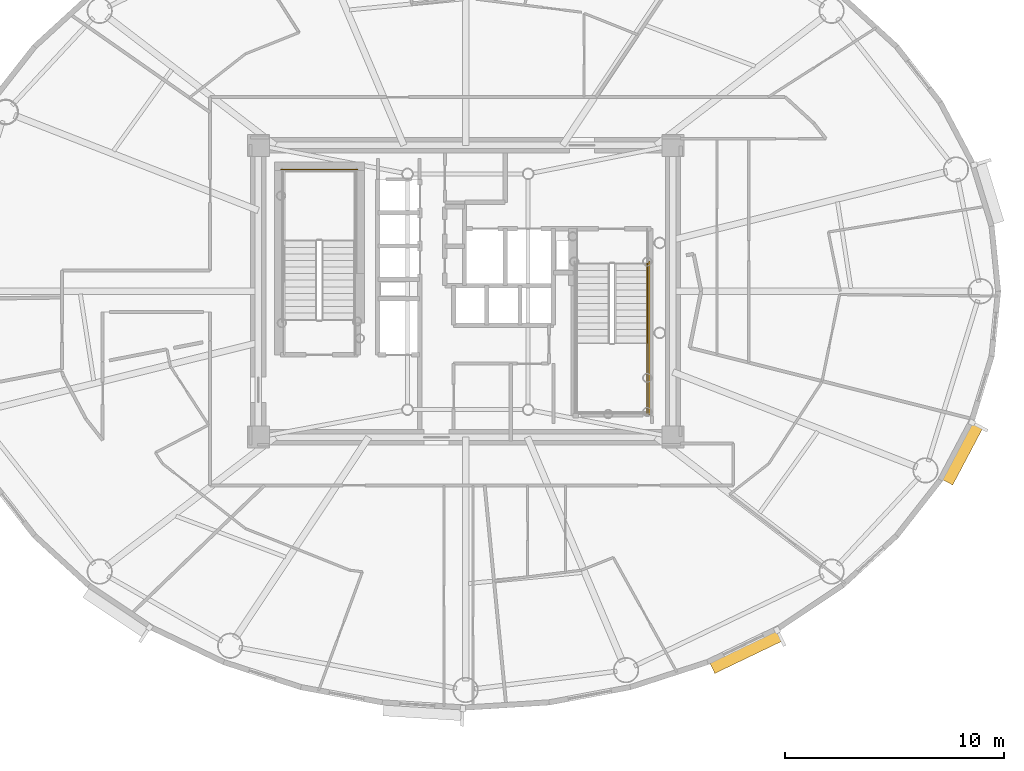
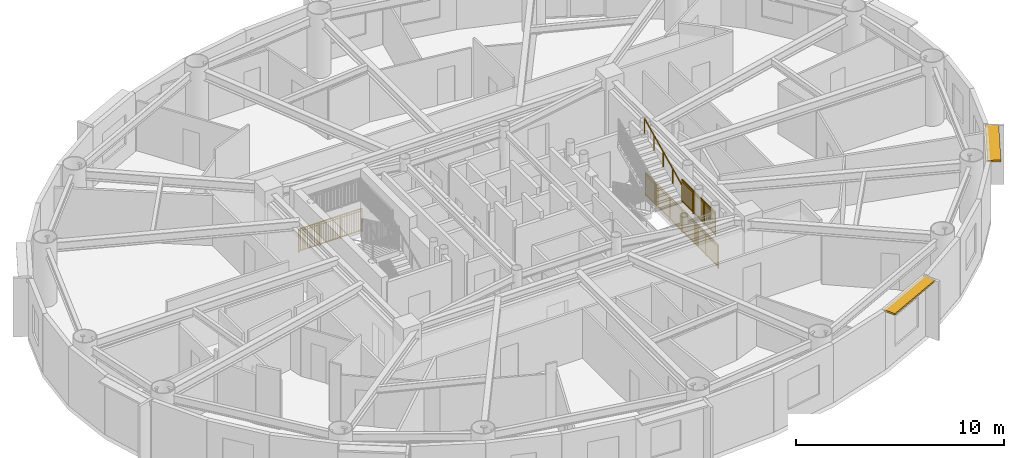
# One storey, part 17 of 18: 4 railings, 2 shading devices.
"""IFC4 building model written with IfcOpenShell, lengths in metres."""

from ifc_helpers import new_model, si_unit, direction, frame, origin, origin_2d, place, context, subcontext, project, spatial, rectangle, extrude, source, transform, mapped, material, layer, layer_set, type_object, element, save


model = new_model("IFC4")

# Units and contexts
model_context = context("Model", 3, precision=1e-05, world=origin(), true_north=direction((0.0, 1.0)))
body_context = subcontext(model_context, "Body", "Model", "MODEL_VIEW")
ifc_project = project(units=[si_unit("LENGTHUNIT", "METRE"), si_unit("AREAUNIT", "SQUARE_METRE"), si_unit("VOLUMEUNIT", "CUBIC_METRE"), si_unit("PLANEANGLEUNIT", "RADIAN"), si_unit("MASSUNIT", "GRAM", prefix="KILO")], contexts=[model_context])

# Site, building, storey
site_placement = place(None, origin())
site = spatial("IfcSite", under=ifc_project, at=site_placement, CompositionType="ELEMENT")
building_placement = place(site_placement, origin())
building = spatial("IfcBuilding", under=site, at=building_placement, Name="Linh Dai School and Residence Tower", CompositionType="ELEMENT")
storey_placement = place(building_placement, frame((0.0, 0.0, 259.050048828125)))
storey = spatial("IfcBuildingStorey", under=building, at=storey_placement, Name="L64", CompositionType="ELEMENT", Elevation=259.050048828125)

# Shading devices
ifc_material_1 = material(Name="Terracotta Ceramic Sunshade", Category="masonry")
ifc_layer = layer(ifc_material_1, 0.10009765625)
ifc_layer_set = layer_set([ifc_layer], Name="Terracotta Ceramic Sunshade")
shading_device_type = type_object("IfcShadingDeviceType", Name="SHD-TC-650", PredefinedType="USERDEFINED", material=ifc_layer_set)
shared_shape_1 = source(origin(), body_context, "Body", "SweptSolid", [
    extrude(rectangle(XDim=3.459716796875, YDim=0.64990234375, at=origin_2d()), origin(), (0.0, 0.0, 1.0), 0.10009765625),
])
shading_device_1_placement = place(storey_placement, frame((48.77880859375, 10.615966796875, 3.329833984375), z_axis=(0.0, 0.0, 1.0), x_axis=(-0.901588864931, -0.432593941973, 0.0)))
element("IfcShadingDevice", 1, at=shading_device_1_placement, inside=storey, type_object=shading_device_type, Name="L64 Terracotta Horizontal Sunshade Band 34", ObjectType="SUNSHADE", PredefinedType="USERDEFINED", context=body_context, shape_type="MappedRepresentation", body=[
    mapped(shared_shape_1, transform((0.0, 0.0, 0.0), x_axis=(1.0, 0.0, 0.0), y_axis=(0.0, 1.0, 0.0), z_axis=(0.0, 0.0, 1.0), scale=1.0)),
])
shared_shape_2 = source(origin(), body_context, "Body", "SweptSolid", [
    extrude(rectangle(XDim=2.986083984375, YDim=0.64990234375, at=origin_2d()), origin(), (0.0, 0.0, 1.0), 0.10009765625),
])
shading_device_2_placement = place(storey_placement, frame((58.614990234375, 19.63623046875, 3.329833984375), z_axis=(0.0, 0.0, 1.0), x_axis=(-0.467621224891, -0.883928950783, 0.0)))
element("IfcShadingDevice", 2, at=shading_device_2_placement, inside=storey, type_object=shading_device_type, Name="L64 Terracotta Horizontal Sunshade Band 38", ObjectType="SUNSHADE", PredefinedType="USERDEFINED", context=body_context, shape_type="MappedRepresentation", body=[
    mapped(shared_shape_2, transform((0.0, 0.0, 0.0), x_axis=(1.0, 0.0, 0.0), y_axis=(0.0, 1.0, 0.0), z_axis=(0.0, 0.0, 1.0), scale=1.0)),
])

# Railings
ifc_material_2 = material(Name="Structural Steel S355JR", Category="steel")
railing_type_1 = type_object("IfcRailingType", Name="RL-ST-GUARD-1400", PredefinedType="GUARDRAIL", material=ifc_material_2)
shared_shape_3 = source(origin(), body_context, "Body", "SweptSolid", [
    extrude(rectangle(XDim=0.048095703125, YDim=0.048095703125, at=origin_2d()), frame((0.0, 0.0, 1.3759765625), z_axis=(-1.0, 0.0, 0.0), x_axis=(0.0, -1.0, 0.0)), (0.0, 0.0, 1.0), 3.5),
    extrude(rectangle(XDim=0.048095703125, YDim=0.048095703125, at=origin_2d()), frame((0.0, 0.0, 0.10009765625), z_axis=(-1.0, 0.0, 0.0), x_axis=(0.0, -1.0, 0.0)), (0.0, 0.0, 1.0), 3.5),
    extrude(rectangle(XDim=0.030029296875, YDim=0.030029296875, at=origin_2d()), frame((0.0, 0.0, 1.239990234375), z_axis=(-1.0, 0.0, 0.0), x_axis=(0.0, -1.0, 0.0)), (0.0, 0.0, 1.0), 3.5),
    extrude(rectangle(XDim=0.02001953125, YDim=0.02001953125, at=origin_2d()), frame((-0.09716796875, 0.0, 0.10009765625)), (0.0, 0.0, 1.0), 1.251708984375),
    extrude(rectangle(XDim=0.02001953125, YDim=0.02001953125, at=origin_2d()), frame((-0.1943359375, 0.0, 0.10009765625)), (0.0, 0.0, 1.0), 1.251708984375),
    extrude(rectangle(XDim=0.02001953125, YDim=0.02001953125, at=origin_2d()), frame((-0.291748046875, 0.0, 0.10009765625)), (0.0, 0.0, 1.0), 1.251708984375),
    extrude(rectangle(XDim=0.02001953125, YDim=0.02001953125, at=origin_2d()), frame((-0.388916015625, 0.0, 0.10009765625)), (0.0, 0.0, 1.0), 1.251708984375),
    extrude(rectangle(XDim=0.02001953125, YDim=0.02001953125, at=origin_2d()), frame((-0.486083984375, 0.0, 0.10009765625)), (0.0, 0.0, 1.0), 1.251708984375),
    extrude(rectangle(XDim=0.02001953125, YDim=0.02001953125, at=origin_2d()), frame((-0.583251953125, 0.0, 0.10009765625)), (0.0, 0.0, 1.0), 1.251708984375),
    extrude(rectangle(XDim=0.02001953125, YDim=0.02001953125, at=origin_2d()), frame((-0.6806640625, 0.0, 0.10009765625)), (0.0, 0.0, 1.0), 1.251708984375),
    extrude(rectangle(XDim=0.02001953125, YDim=0.02001953125, at=origin_2d()), frame((-0.77783203125, 0.0, 0.10009765625)), (0.0, 0.0, 1.0), 1.251708984375),
    extrude(rectangle(XDim=0.02001953125, YDim=0.02001953125, at=origin_2d()), frame((-0.875, 0.0, 0.10009765625)), (0.0, 0.0, 1.0), 1.251708984375),
    extrude(rectangle(XDim=0.02001953125, YDim=0.02001953125, at=origin_2d()), frame((-0.97216796875, 0.0, 0.10009765625)), (0.0, 0.0, 1.0), 1.251708984375),
    extrude(rectangle(XDim=0.02001953125, YDim=0.02001953125, at=origin_2d()), frame((-1.0693359375, 0.0, 0.10009765625)), (0.0, 0.0, 1.0), 1.251708984375),
    extrude(rectangle(XDim=0.02001953125, YDim=0.02001953125, at=origin_2d()), frame((-1.263916015625, 0.0, 0.10009765625)), (0.0, 0.0, 1.0), 1.251708984375),
    extrude(rectangle(XDim=0.02001953125, YDim=0.02001953125, at=origin_2d()), frame((-1.361083984375, 0.0, 0.10009765625)), (0.0, 0.0, 1.0), 1.251708984375),
    extrude(rectangle(XDim=0.02001953125, YDim=0.02001953125, at=origin_2d()), frame((-1.458251953125, 0.0, 0.10009765625)), (0.0, 0.0, 1.0), 1.251708984375),
    extrude(rectangle(XDim=0.02001953125, YDim=0.02001953125, at=origin_2d()), frame((-1.5556640625, 0.0, 0.10009765625)), (0.0, 0.0, 1.0), 1.251708984375),
    extrude(rectangle(XDim=0.02001953125, YDim=0.02001953125, at=origin_2d()), frame((-1.65283203125, 0.0, 0.10009765625)), (0.0, 0.0, 1.0), 1.251708984375),
    extrude(rectangle(XDim=0.02001953125, YDim=0.02001953125, at=origin_2d()), frame((-1.75, 0.0, 0.10009765625)), (0.0, 0.0, 1.0), 1.251708984375),
    extrude(rectangle(XDim=0.02001953125, YDim=0.02001953125, at=origin_2d()), frame((-1.84716796875, 0.0, 0.10009765625)), (0.0, 0.0, 1.0), 1.251708984375),
    extrude(rectangle(XDim=0.02001953125, YDim=0.02001953125, at=origin_2d()), frame((-1.9443359375, 0.0, 0.10009765625)), (0.0, 0.0, 1.0), 1.251708984375),
    extrude(rectangle(XDim=0.02001953125, YDim=0.02001953125, at=origin_2d()), frame((-2.041748046875, 0.0, 0.10009765625)), (0.0, 0.0, 1.0), 1.251708984375),
    extrude(rectangle(XDim=0.02001953125, YDim=0.02001953125, at=origin_2d()), frame((-2.138916015625, 0.0, 0.10009765625)), (0.0, 0.0, 1.0), 1.251708984375),
    extrude(rectangle(XDim=0.02001953125, YDim=0.02001953125, at=origin_2d()), frame((-2.236083984375, 0.0, 0.10009765625)), (0.0, 0.0, 1.0), 1.251708984375),
    extrude(rectangle(XDim=0.02001953125, YDim=0.02001953125, at=origin_2d()), frame((-2.4306640625, 0.0, 0.10009765625)), (0.0, 0.0, 1.0), 1.251708984375),
    extrude(rectangle(XDim=0.02001953125, YDim=0.02001953125, at=origin_2d()), frame((-2.52783203125, 0.0, 0.10009765625)), (0.0, 0.0, 1.0), 1.251708984375),
    extrude(rectangle(XDim=0.02001953125, YDim=0.02001953125, at=origin_2d()), frame((-2.625, 0.0, 0.10009765625)), (0.0, 0.0, 1.0), 1.251708984375),
    extrude(rectangle(XDim=0.02001953125, YDim=0.02001953125, at=origin_2d()), frame((-2.72216796875, 0.0, 0.10009765625)), (0.0, 0.0, 1.0), 1.251708984375),
    extrude(rectangle(XDim=0.02001953125, YDim=0.02001953125, at=origin_2d()), frame((-2.8193359375, 0.0, 0.10009765625)), (0.0, 0.0, 1.0), 1.251708984375),
    extrude(rectangle(XDim=0.02001953125, YDim=0.02001953125, at=origin_2d()), frame((-2.916748046875, 0.0, 0.10009765625)), (0.0, 0.0, 1.0), 1.251708984375),
    extrude(rectangle(XDim=0.02001953125, YDim=0.02001953125, at=origin_2d()), frame((-3.013916015625, 0.0, 0.10009765625)), (0.0, 0.0, 1.0), 1.251708984375),
    extrude(rectangle(XDim=0.02001953125, YDim=0.02001953125, at=origin_2d()), frame((-3.111083984375, 0.0, 0.10009765625)), (0.0, 0.0, 1.0), 1.251708984375),
    extrude(rectangle(XDim=0.02001953125, YDim=0.02001953125, at=origin_2d()), frame((-3.208251953125, 0.0, 0.10009765625)), (0.0, 0.0, 1.0), 1.251708984375),
    extrude(rectangle(XDim=0.02001953125, YDim=0.02001953125, at=origin_2d()), frame((-3.3056640625, 0.0, 0.10009765625)), (0.0, 0.0, 1.0), 1.251708984375),
    extrude(rectangle(XDim=0.02001953125, YDim=0.02001953125, at=origin_2d()), frame((-3.40283203125, 0.0, 0.10009765625)), (0.0, 0.0, 1.0), 1.251708984375),
    extrude(rectangle(XDim=0.0419921875, YDim=0.0419921875, at=origin_2d()), origin(), (0.0, 0.0, 1.0), 1.3759765625),
    extrude(rectangle(XDim=0.0419921875, YDim=0.0419921875, at=origin_2d()), frame((-1.166748046875, 0.0, 0.0)), (0.0, 0.0, 1.0), 1.3759765625),
    extrude(rectangle(XDim=0.0419921875, YDim=0.0419921875, at=origin_2d()), frame((-2.333251953125, 0.0, 0.0)), (0.0, 0.0, 1.0), 1.3759765625),
    extrude(rectangle(XDim=0.0419921875, YDim=0.0419921875, at=origin_2d()), frame((-3.5, 0.0, 0.0)), (0.0, 0.0, 1.0), 1.3759765625),
])
railing_1_placement = place(storey_placement, frame((31.080078125, 32.550048828125, 0.0)))
element("IfcRailing", 3, at=railing_1_placement, inside=storey, type_object=railing_type_1, Name="L64 ST1 stair guard 12", PredefinedType="GUARDRAIL", context=body_context, shape_type="MappedRepresentation", body=[
    mapped(shared_shape_3, transform((0.0, 0.0, 0.0), x_axis=(1.0, 0.0, 0.0), y_axis=(0.0, 1.0, 0.0), z_axis=(0.0, 0.0, 1.0), scale=1.0)),
])
ifc_material_3 = material(Name="Brushed Stainless Steel Handrail", Category="steel")
railing_type_2 = type_object("IfcRailingType", Name="RL-ST-HANDRAIL-900", PredefinedType="HANDRAIL", material=ifc_material_3)
shared_shape_4 = source(origin(), body_context, "Body", "SweptSolid", [
    extrude(rectangle(XDim=0.048095703125, YDim=0.048095703125, at=origin_2d()), frame((0.0, 0.0, 0.8759765625), z_axis=(0.0, 0.901262522062, 0.433273431364), x_axis=(-1.0, 0.0, 0.0)), (0.0, 0.0, 1.0), 3.994384765625),
    extrude(rectangle(XDim=0.0419921875, YDim=0.0419921875, at=origin_2d()), origin(), (0.0, 0.0, 1.0), 0.8759765625),
    extrude(rectangle(XDim=0.0419921875, YDim=0.0419921875, at=origin_2d()), frame((0.0, 0.89990234375, 0.4326171875)), (0.0, 0.0, 1.0), 0.8759765625),
    extrude(rectangle(XDim=0.0419921875, YDim=0.0419921875, at=origin_2d()), frame((0.0, 1.800048828125, 0.865234375)), (0.0, 0.0, 1.0), 0.8759765625),
    extrude(rectangle(XDim=0.0419921875, YDim=0.0419921875, at=origin_2d()), frame((0.0, 2.7001953125, 1.298095703125)), (0.0, 0.0, 1.0), 0.8759765625),
    extrude(rectangle(XDim=0.0419921875, YDim=0.0419921875, at=origin_2d()), frame((0.0, 3.60009765625, 1.730712890625)), (0.0, 0.0, 1.0), 0.8759765625),
])
railing_2_placement = place(storey_placement, frame((44.27001953125, 24.64990234375, 2.019287109375)))
element("IfcRailing", 4, at=railing_2_placement, inside=storey, type_object=railing_type_2, Name="L64 ST2 stair handrail 2", PredefinedType="HANDRAIL", context=body_context, shape_type="MappedRepresentation", body=[
    mapped(shared_shape_4, transform((0.0, 0.0, 0.0), x_axis=(1.0, 0.0, 0.0), y_axis=(0.0, 1.0, 0.0), z_axis=(0.0, 0.0, 1.0), scale=1.0)),
])
shared_shape_5 = source(origin(), body_context, "Body", "SweptSolid", [
    extrude(rectangle(XDim=0.048095703125, YDim=0.048095703125, at=origin_2d()), frame((0.0, 0.0, 1.3759765625), z_axis=(0.0, -1.0, 0.0), x_axis=(1.0, 0.0, 0.0)), (0.0, 0.0, 1.0), 7.0),
    extrude(rectangle(XDim=0.048095703125, YDim=0.048095703125, at=origin_2d()), frame((0.0, 0.0, 0.10009765625), z_axis=(0.0, -1.0, 0.0), x_axis=(1.0, 0.0, 0.0)), (0.0, 0.0, 1.0), 7.0),
    extrude(rectangle(XDim=0.030029296875, YDim=0.030029296875, at=origin_2d()), frame((0.0, 0.0, 1.239990234375), z_axis=(0.0, -1.0, 0.0), x_axis=(1.0, 0.0, 0.0)), (0.0, 0.0, 1.0), 7.0),
    extrude(rectangle(XDim=0.02001953125, YDim=0.02001953125, at=origin_2d()), frame((0.0, -0.09716796875, 0.10009765625)), (0.0, 0.0, 1.0), 1.251708984375),
    extrude(rectangle(XDim=0.02001953125, YDim=0.02001953125, at=origin_2d()), frame((0.0, -0.1943359375, 0.10009765625)), (0.0, 0.0, 1.0), 1.251708984375),
    extrude(rectangle(XDim=0.02001953125, YDim=0.02001953125, at=origin_2d()), frame((0.0, -0.291748046875, 0.10009765625)), (0.0, 0.0, 1.0), 1.251708984375),
    extrude(rectangle(XDim=0.02001953125, YDim=0.02001953125, at=origin_2d()), frame((0.0, -0.388916015625, 0.10009765625)), (0.0, 0.0, 1.0), 1.251708984375),
    extrude(rectangle(XDim=0.02001953125, YDim=0.02001953125, at=origin_2d()), frame((0.0, -0.486083984375, 0.10009765625)), (0.0, 0.0, 1.0), 1.251708984375),
    extrude(rectangle(XDim=0.02001953125, YDim=0.02001953125, at=origin_2d()), frame((0.0, -0.583251953125, 0.10009765625)), (0.0, 0.0, 1.0), 1.251708984375),
    extrude(rectangle(XDim=0.02001953125, YDim=0.02001953125, at=origin_2d()), frame((0.0, -0.6806640625, 0.10009765625)), (0.0, 0.0, 1.0), 1.251708984375),
    extrude(rectangle(XDim=0.02001953125, YDim=0.02001953125, at=origin_2d()), frame((0.0, -0.77783203125, 0.10009765625)), (0.0, 0.0, 1.0), 1.251708984375),
    extrude(rectangle(XDim=0.02001953125, YDim=0.02001953125, at=origin_2d()), frame((0.0, -0.875, 0.10009765625)), (0.0, 0.0, 1.0), 1.251708984375),
    extrude(rectangle(XDim=0.02001953125, YDim=0.02001953125, at=origin_2d()), frame((0.0, -0.97216796875, 0.10009765625)), (0.0, 0.0, 1.0), 1.251708984375),
    extrude(rectangle(XDim=0.02001953125, YDim=0.02001953125, at=origin_2d()), frame((0.0, -1.0693359375, 0.10009765625)), (0.0, 0.0, 1.0), 1.251708984375),
    extrude(rectangle(XDim=0.02001953125, YDim=0.02001953125, at=origin_2d()), frame((0.0, -1.263916015625, 0.10009765625)), (0.0, 0.0, 1.0), 1.251708984375),
    extrude(rectangle(XDim=0.02001953125, YDim=0.02001953125, at=origin_2d()), frame((0.0, -1.361083984375, 0.10009765625)), (0.0, 0.0, 1.0), 1.251708984375),
    extrude(rectangle(XDim=0.02001953125, YDim=0.02001953125, at=origin_2d()), frame((0.0, -1.458251953125, 0.10009765625)), (0.0, 0.0, 1.0), 1.251708984375),
    extrude(rectangle(XDim=0.02001953125, YDim=0.02001953125, at=origin_2d()), frame((0.0, -1.5556640625, 0.10009765625)), (0.0, 0.0, 1.0), 1.251708984375),
    extrude(rectangle(XDim=0.02001953125, YDim=0.02001953125, at=origin_2d()), frame((0.0, -1.65283203125, 0.10009765625)), (0.0, 0.0, 1.0), 1.251708984375),
    extrude(rectangle(XDim=0.02001953125, YDim=0.02001953125, at=origin_2d()), frame((0.0, -1.75, 0.10009765625)), (0.0, 0.0, 1.0), 1.251708984375),
    extrude(rectangle(XDim=0.02001953125, YDim=0.02001953125, at=origin_2d()), frame((0.0, -1.84716796875, 0.10009765625)), (0.0, 0.0, 1.0), 1.251708984375),
    extrude(rectangle(XDim=0.02001953125, YDim=0.02001953125, at=origin_2d()), frame((0.0, -1.9443359375, 0.10009765625)), (0.0, 0.0, 1.0), 1.251708984375),
    extrude(rectangle(XDim=0.02001953125, YDim=0.02001953125, at=origin_2d()), frame((0.0, -2.041748046875, 0.10009765625)), (0.0, 0.0, 1.0), 1.251708984375),
    extrude(rectangle(XDim=0.02001953125, YDim=0.02001953125, at=origin_2d()), frame((0.0, -2.138916015625, 0.10009765625)), (0.0, 0.0, 1.0), 1.251708984375),
    extrude(rectangle(XDim=0.02001953125, YDim=0.02001953125, at=origin_2d()), frame((0.0, -2.236083984375, 0.10009765625)), (0.0, 0.0, 1.0), 1.251708984375),
    extrude(rectangle(XDim=0.02001953125, YDim=0.02001953125, at=origin_2d()), frame((0.0, -2.4306640625, 0.10009765625)), (0.0, 0.0, 1.0), 1.251708984375),
    extrude(rectangle(XDim=0.02001953125, YDim=0.02001953125, at=origin_2d()), frame((0.0, -2.52783203125, 0.10009765625)), (0.0, 0.0, 1.0), 1.251708984375),
    extrude(rectangle(XDim=0.02001953125, YDim=0.02001953125, at=origin_2d()), frame((0.0, -2.625, 0.10009765625)), (0.0, 0.0, 1.0), 1.251708984375),
    extrude(rectangle(XDim=0.02001953125, YDim=0.02001953125, at=origin_2d()), frame((0.0, -2.72216796875, 0.10009765625)), (0.0, 0.0, 1.0), 1.251708984375),
    extrude(rectangle(XDim=0.02001953125, YDim=0.02001953125, at=origin_2d()), frame((0.0, -2.8193359375, 0.10009765625)), (0.0, 0.0, 1.0), 1.251708984375),
    extrude(rectangle(XDim=0.02001953125, YDim=0.02001953125, at=origin_2d()), frame((0.0, -2.916748046875, 0.10009765625)), (0.0, 0.0, 1.0), 1.251708984375),
    extrude(rectangle(XDim=0.02001953125, YDim=0.02001953125, at=origin_2d()), frame((0.0, -3.013916015625, 0.10009765625)), (0.0, 0.0, 1.0), 1.251708984375),
    extrude(rectangle(XDim=0.02001953125, YDim=0.02001953125, at=origin_2d()), frame((0.0, -3.111083984375, 0.10009765625)), (0.0, 0.0, 1.0), 1.251708984375),
    extrude(rectangle(XDim=0.02001953125, YDim=0.02001953125, at=origin_2d()), frame((0.0, -3.208251953125, 0.10009765625)), (0.0, 0.0, 1.0), 1.251708984375),
    extrude(rectangle(XDim=0.02001953125, YDim=0.02001953125, at=origin_2d()), frame((0.0, -3.3056640625, 0.10009765625)), (0.0, 0.0, 1.0), 1.251708984375),
    extrude(rectangle(XDim=0.02001953125, YDim=0.02001953125, at=origin_2d()), frame((0.0, -3.40283203125, 0.10009765625)), (0.0, 0.0, 1.0), 1.251708984375),
    extrude(rectangle(XDim=0.02001953125, YDim=0.02001953125, at=origin_2d()), frame((0.0, -3.59716796875, 0.10009765625)), (0.0, 0.0, 1.0), 1.251708984375),
    extrude(rectangle(XDim=0.02001953125, YDim=0.02001953125, at=origin_2d()), frame((0.0, -3.6943359375, 0.10009765625)), (0.0, 0.0, 1.0), 1.251708984375),
    extrude(rectangle(XDim=0.02001953125, YDim=0.02001953125, at=origin_2d()), frame((0.0, -3.791748046875, 0.10009765625)), (0.0, 0.0, 1.0), 1.251708984375),
    extrude(rectangle(XDim=0.02001953125, YDim=0.02001953125, at=origin_2d()), frame((0.0, -3.888916015625, 0.10009765625)), (0.0, 0.0, 1.0), 1.251708984375),
    extrude(rectangle(XDim=0.02001953125, YDim=0.02001953125, at=origin_2d()), frame((0.0, -3.986083984375, 0.10009765625)), (0.0, 0.0, 1.0), 1.251708984375),
    extrude(rectangle(XDim=0.02001953125, YDim=0.02001953125, at=origin_2d()), frame((0.0, -4.083251953125, 0.10009765625)), (0.0, 0.0, 1.0), 1.251708984375),
    extrude(rectangle(XDim=0.02001953125, YDim=0.02001953125, at=origin_2d()), frame((0.0, -4.1806640625, 0.10009765625)), (0.0, 0.0, 1.0), 1.251708984375),
    extrude(rectangle(XDim=0.02001953125, YDim=0.02001953125, at=origin_2d()), frame((0.0, -4.27783203125, 0.10009765625)), (0.0, 0.0, 1.0), 1.251708984375),
    extrude(rectangle(XDim=0.02001953125, YDim=0.02001953125, at=origin_2d()), frame((0.0, -4.375, 0.10009765625)), (0.0, 0.0, 1.0), 1.251708984375),
    extrude(rectangle(XDim=0.02001953125, YDim=0.02001953125, at=origin_2d()), frame((0.0, -4.47216796875, 0.10009765625)), (0.0, 0.0, 1.0), 1.251708984375),
    extrude(rectangle(XDim=0.02001953125, YDim=0.02001953125, at=origin_2d()), frame((0.0, -4.5693359375, 0.10009765625)), (0.0, 0.0, 1.0), 1.251708984375),
    extrude(rectangle(XDim=0.02001953125, YDim=0.02001953125, at=origin_2d()), frame((0.0, -4.763916015625, 0.10009765625)), (0.0, 0.0, 1.0), 1.251708984375),
    extrude(rectangle(XDim=0.02001953125, YDim=0.02001953125, at=origin_2d()), frame((0.0, -4.861083984375, 0.10009765625)), (0.0, 0.0, 1.0), 1.251708984375),
    extrude(rectangle(XDim=0.02001953125, YDim=0.02001953125, at=origin_2d()), frame((0.0, -4.958251953125, 0.10009765625)), (0.0, 0.0, 1.0), 1.251708984375),
    extrude(rectangle(XDim=0.02001953125, YDim=0.02001953125, at=origin_2d()), frame((0.0, -5.0556640625, 0.10009765625)), (0.0, 0.0, 1.0), 1.251708984375),
    extrude(rectangle(XDim=0.02001953125, YDim=0.02001953125, at=origin_2d()), frame((0.0, -5.15283203125, 0.10009765625)), (0.0, 0.0, 1.0), 1.251708984375),
    extrude(rectangle(XDim=0.02001953125, YDim=0.02001953125, at=origin_2d()), frame((0.0, -5.25, 0.10009765625)), (0.0, 0.0, 1.0), 1.251708984375),
    extrude(rectangle(XDim=0.02001953125, YDim=0.02001953125, at=origin_2d()), frame((0.0, -5.34716796875, 0.10009765625)), (0.0, 0.0, 1.0), 1.251708984375),
    extrude(rectangle(XDim=0.02001953125, YDim=0.02001953125, at=origin_2d()), frame((0.0, -5.4443359375, 0.10009765625)), (0.0, 0.0, 1.0), 1.251708984375),
    extrude(rectangle(XDim=0.02001953125, YDim=0.02001953125, at=origin_2d()), frame((0.0, -5.541748046875, 0.10009765625)), (0.0, 0.0, 1.0), 1.251708984375),
    extrude(rectangle(XDim=0.02001953125, YDim=0.02001953125, at=origin_2d()), frame((0.0, -5.638916015625, 0.10009765625)), (0.0, 0.0, 1.0), 1.251708984375),
    extrude(rectangle(XDim=0.02001953125, YDim=0.02001953125, at=origin_2d()), frame((0.0, -5.736083984375, 0.10009765625)), (0.0, 0.0, 1.0), 1.251708984375),
    extrude(rectangle(XDim=0.02001953125, YDim=0.02001953125, at=origin_2d()), frame((0.0, -5.9306640625, 0.10009765625)), (0.0, 0.0, 1.0), 1.251708984375),
    extrude(rectangle(XDim=0.02001953125, YDim=0.02001953125, at=origin_2d()), frame((0.0, -6.02783203125, 0.10009765625)), (0.0, 0.0, 1.0), 1.251708984375),
    extrude(rectangle(XDim=0.02001953125, YDim=0.02001953125, at=origin_2d()), frame((0.0, -6.125, 0.10009765625)), (0.0, 0.0, 1.0), 1.251708984375),
    extrude(rectangle(XDim=0.02001953125, YDim=0.02001953125, at=origin_2d()), frame((0.0, -6.22216796875, 0.10009765625)), (0.0, 0.0, 1.0), 1.251708984375),
    extrude(rectangle(XDim=0.02001953125, YDim=0.02001953125, at=origin_2d()), frame((0.0, -6.3193359375, 0.10009765625)), (0.0, 0.0, 1.0), 1.251708984375),
    extrude(rectangle(XDim=0.02001953125, YDim=0.02001953125, at=origin_2d()), frame((0.0, -6.416748046875, 0.10009765625)), (0.0, 0.0, 1.0), 1.251708984375),
    extrude(rectangle(XDim=0.02001953125, YDim=0.02001953125, at=origin_2d()), frame((0.0, -6.513916015625, 0.10009765625)), (0.0, 0.0, 1.0), 1.251708984375),
    extrude(rectangle(XDim=0.02001953125, YDim=0.02001953125, at=origin_2d()), frame((0.0, -6.611083984375, 0.10009765625)), (0.0, 0.0, 1.0), 1.251708984375),
    extrude(rectangle(XDim=0.02001953125, YDim=0.02001953125, at=origin_2d()), frame((0.0, -6.708251953125, 0.10009765625)), (0.0, 0.0, 1.0), 1.251708984375),
    extrude(rectangle(XDim=0.02001953125, YDim=0.02001953125, at=origin_2d()), frame((0.0, -6.8056640625, 0.10009765625)), (0.0, 0.0, 1.0), 1.251708984375),
    extrude(rectangle(XDim=0.02001953125, YDim=0.02001953125, at=origin_2d()), frame((0.0, -6.90283203125, 0.10009765625)), (0.0, 0.0, 1.0), 1.251708984375),
    extrude(rectangle(XDim=0.0419921875, YDim=0.0419921875, at=origin_2d()), origin(), (0.0, 0.0, 1.0), 1.3759765625),
    extrude(rectangle(XDim=0.0419921875, YDim=0.0419921875, at=origin_2d()), frame((0.0, -1.166748046875, 0.0)), (0.0, 0.0, 1.0), 1.3759765625),
    extrude(rectangle(XDim=0.0419921875, YDim=0.0419921875, at=origin_2d()), frame((0.0, -2.333251953125, 0.0)), (0.0, 0.0, 1.0), 1.3759765625),
    extrude(rectangle(XDim=0.0419921875, YDim=0.0419921875, at=origin_2d()), frame((0.0, -3.5, 0.0)), (0.0, 0.0, 1.0), 1.3759765625),
    extrude(rectangle(XDim=0.0419921875, YDim=0.0419921875, at=origin_2d()), frame((0.0, -4.666748046875, 0.0)), (0.0, 0.0, 1.0), 1.3759765625),
    extrude(rectangle(XDim=0.0419921875, YDim=0.0419921875, at=origin_2d()), frame((0.0, -5.833251953125, 0.0)), (0.0, 0.0, 1.0), 1.3759765625),
    extrude(rectangle(XDim=0.0419921875, YDim=0.0419921875, at=origin_2d()), frame((0.0, -7.0, 0.0)), (0.0, 0.0, 1.0), 1.3759765625),
])
railing_3_placement = place(storey_placement, frame((44.3701171875, 28.35009765625, 0.0)))
element("IfcRailing", 5, at=railing_3_placement, inside=storey, type_object=railing_type_1, Name="L64 ST2 stair guard 11", PredefinedType="GUARDRAIL", context=body_context, shape_type="MappedRepresentation", body=[
    mapped(shared_shape_5, transform((0.0, 0.0, 0.0), x_axis=(1.0, 0.0, 0.0), y_axis=(0.0, 1.0, 0.0), z_axis=(0.0, 0.0, 1.0), scale=1.0)),
])
shared_shape_6 = source(origin(), body_context, "Body", "SweptSolid", [
    extrude(rectangle(XDim=0.048095703125, YDim=0.048095703125, at=origin_2d()), frame((0.0, 0.0, 1.3759765625), z_axis=(0.0, -1.0, 0.0), x_axis=(1.0, 0.0, 0.0)), (0.0, 0.0, 1.0), 3.199951171875),
    extrude(rectangle(XDim=0.048095703125, YDim=0.048095703125, at=origin_2d()), frame((0.0, 0.0, 0.10009765625), z_axis=(0.0, -1.0, 0.0), x_axis=(1.0, 0.0, 0.0)), (0.0, 0.0, 1.0), 3.199951171875),
    extrude(rectangle(XDim=0.030029296875, YDim=0.030029296875, at=origin_2d()), frame((0.0, 0.0, 1.239990234375), z_axis=(0.0, -1.0, 0.0), x_axis=(1.0, 0.0, 0.0)), (0.0, 0.0, 1.0), 3.199951171875),
    extrude(rectangle(XDim=0.02001953125, YDim=0.02001953125, at=origin_2d()), frame((0.0, -0.096923828125, 0.10009765625)), (0.0, 0.0, 1.0), 1.251708984375),
    extrude(rectangle(XDim=0.02001953125, YDim=0.02001953125, at=origin_2d()), frame((0.0, -0.19384765625, 0.10009765625)), (0.0, 0.0, 1.0), 1.251708984375),
    extrude(rectangle(XDim=0.02001953125, YDim=0.02001953125, at=origin_2d()), frame((0.0, -0.291015625, 0.10009765625)), (0.0, 0.0, 1.0), 1.251708984375),
    extrude(rectangle(XDim=0.02001953125, YDim=0.02001953125, at=origin_2d()), frame((0.0, -0.387939453125, 0.10009765625)), (0.0, 0.0, 1.0), 1.251708984375),
    extrude(rectangle(XDim=0.02001953125, YDim=0.02001953125, at=origin_2d()), frame((0.0, -0.48486328125, 0.10009765625)), (0.0, 0.0, 1.0), 1.251708984375),
    extrude(rectangle(XDim=0.02001953125, YDim=0.02001953125, at=origin_2d()), frame((0.0, -0.581787109375, 0.10009765625)), (0.0, 0.0, 1.0), 1.251708984375),
    extrude(rectangle(XDim=0.02001953125, YDim=0.02001953125, at=origin_2d()), frame((0.0, -0.6787109375, 0.10009765625)), (0.0, 0.0, 1.0), 1.251708984375),
    extrude(rectangle(XDim=0.02001953125, YDim=0.02001953125, at=origin_2d()), frame((0.0, -0.775634765625, 0.10009765625)), (0.0, 0.0, 1.0), 1.251708984375),
    extrude(rectangle(XDim=0.02001953125, YDim=0.02001953125, at=origin_2d()), frame((0.0, -0.872802734375, 0.10009765625)), (0.0, 0.0, 1.0), 1.251708984375),
    extrude(rectangle(XDim=0.02001953125, YDim=0.02001953125, at=origin_2d()), frame((0.0, -0.9697265625, 0.10009765625)), (0.0, 0.0, 1.0), 1.251708984375),
    extrude(rectangle(XDim=0.02001953125, YDim=0.02001953125, at=origin_2d()), frame((0.0, -1.16357421875, 0.10009765625)), (0.0, 0.0, 1.0), 1.251708984375),
    extrude(rectangle(XDim=0.02001953125, YDim=0.02001953125, at=origin_2d()), frame((0.0, -1.260498046875, 0.10009765625)), (0.0, 0.0, 1.0), 1.251708984375),
    extrude(rectangle(XDim=0.02001953125, YDim=0.02001953125, at=origin_2d()), frame((0.0, -1.357666015625, 0.10009765625)), (0.0, 0.0, 1.0), 1.251708984375),
    extrude(rectangle(XDim=0.02001953125, YDim=0.02001953125, at=origin_2d()), frame((0.0, -1.45458984375, 0.10009765625)), (0.0, 0.0, 1.0), 1.251708984375),
    extrude(rectangle(XDim=0.02001953125, YDim=0.02001953125, at=origin_2d()), frame((0.0, -1.551513671875, 0.10009765625)), (0.0, 0.0, 1.0), 1.251708984375),
    extrude(rectangle(XDim=0.02001953125, YDim=0.02001953125, at=origin_2d()), frame((0.0, -1.6484375, 0.10009765625)), (0.0, 0.0, 1.0), 1.251708984375),
    extrude(rectangle(XDim=0.02001953125, YDim=0.02001953125, at=origin_2d()), frame((0.0, -1.745361328125, 0.10009765625)), (0.0, 0.0, 1.0), 1.251708984375),
    extrude(rectangle(XDim=0.02001953125, YDim=0.02001953125, at=origin_2d()), frame((0.0, -1.84228515625, 0.10009765625)), (0.0, 0.0, 1.0), 1.251708984375),
    extrude(rectangle(XDim=0.02001953125, YDim=0.02001953125, at=origin_2d()), frame((0.0, -1.939453125, 0.10009765625)), (0.0, 0.0, 1.0), 1.251708984375),
    extrude(rectangle(XDim=0.02001953125, YDim=0.02001953125, at=origin_2d()), frame((0.0, -2.036376953125, 0.10009765625)), (0.0, 0.0, 1.0), 1.251708984375),
    extrude(rectangle(XDim=0.02001953125, YDim=0.02001953125, at=origin_2d()), frame((0.0, -2.230224609375, 0.10009765625)), (0.0, 0.0, 1.0), 1.251708984375),
    extrude(rectangle(XDim=0.02001953125, YDim=0.02001953125, at=origin_2d()), frame((0.0, -2.3271484375, 0.10009765625)), (0.0, 0.0, 1.0), 1.251708984375),
    extrude(rectangle(XDim=0.02001953125, YDim=0.02001953125, at=origin_2d()), frame((0.0, -2.42431640625, 0.10009765625)), (0.0, 0.0, 1.0), 1.251708984375),
    extrude(rectangle(XDim=0.02001953125, YDim=0.02001953125, at=origin_2d()), frame((0.0, -2.521240234375, 0.10009765625)), (0.0, 0.0, 1.0), 1.251708984375),
    extrude(rectangle(XDim=0.02001953125, YDim=0.02001953125, at=origin_2d()), frame((0.0, -2.6181640625, 0.10009765625)), (0.0, 0.0, 1.0), 1.251708984375),
    extrude(rectangle(XDim=0.02001953125, YDim=0.02001953125, at=origin_2d()), frame((0.0, -2.715087890625, 0.10009765625)), (0.0, 0.0, 1.0), 1.251708984375),
    extrude(rectangle(XDim=0.02001953125, YDim=0.02001953125, at=origin_2d()), frame((0.0, -2.81201171875, 0.10009765625)), (0.0, 0.0, 1.0), 1.251708984375),
    extrude(rectangle(XDim=0.02001953125, YDim=0.02001953125, at=origin_2d()), frame((0.0, -2.908935546875, 0.10009765625)), (0.0, 0.0, 1.0), 1.251708984375),
    extrude(rectangle(XDim=0.02001953125, YDim=0.02001953125, at=origin_2d()), frame((0.0, -3.006103515625, 0.10009765625)), (0.0, 0.0, 1.0), 1.251708984375),
    extrude(rectangle(XDim=0.02001953125, YDim=0.02001953125, at=origin_2d()), frame((0.0, -3.10302734375, 0.10009765625)), (0.0, 0.0, 1.0), 1.251708984375),
    extrude(rectangle(XDim=0.0419921875, YDim=0.0419921875, at=origin_2d()), origin(), (0.0, 0.0, 1.0), 1.3759765625),
    extrude(rectangle(XDim=0.0419921875, YDim=0.0419921875, at=origin_2d()), frame((0.0, -1.066650390625, 0.0)), (0.0, 0.0, 1.0), 1.3759765625),
    extrude(rectangle(XDim=0.0419921875, YDim=0.0419921875, at=origin_2d()), frame((0.0, -2.13330078125, 0.0)), (0.0, 0.0, 1.0), 1.3759765625),
    extrude(rectangle(XDim=0.0419921875, YDim=0.0419921875, at=origin_2d()), frame((0.0, -3.199951171875, 0.0)), (0.0, 0.0, 1.0), 1.3759765625),
])
railing_4_placement = place(storey_placement, frame((44.27001953125, 24.64990234375, 1.875)))
element("IfcRailing", 6, at=railing_4_placement, inside=storey, type_object=railing_type_1, Name="L64 ST2 stair guard 4", PredefinedType="GUARDRAIL", context=body_context, shape_type="MappedRepresentation", body=[
    mapped(shared_shape_6, transform((0.0, 0.0, 0.0), x_axis=(1.0, 0.0, 0.0), y_axis=(0.0, 1.0, 0.0), z_axis=(0.0, 0.0, 1.0), scale=1.0)),
])

save(model, "model.ifc")
